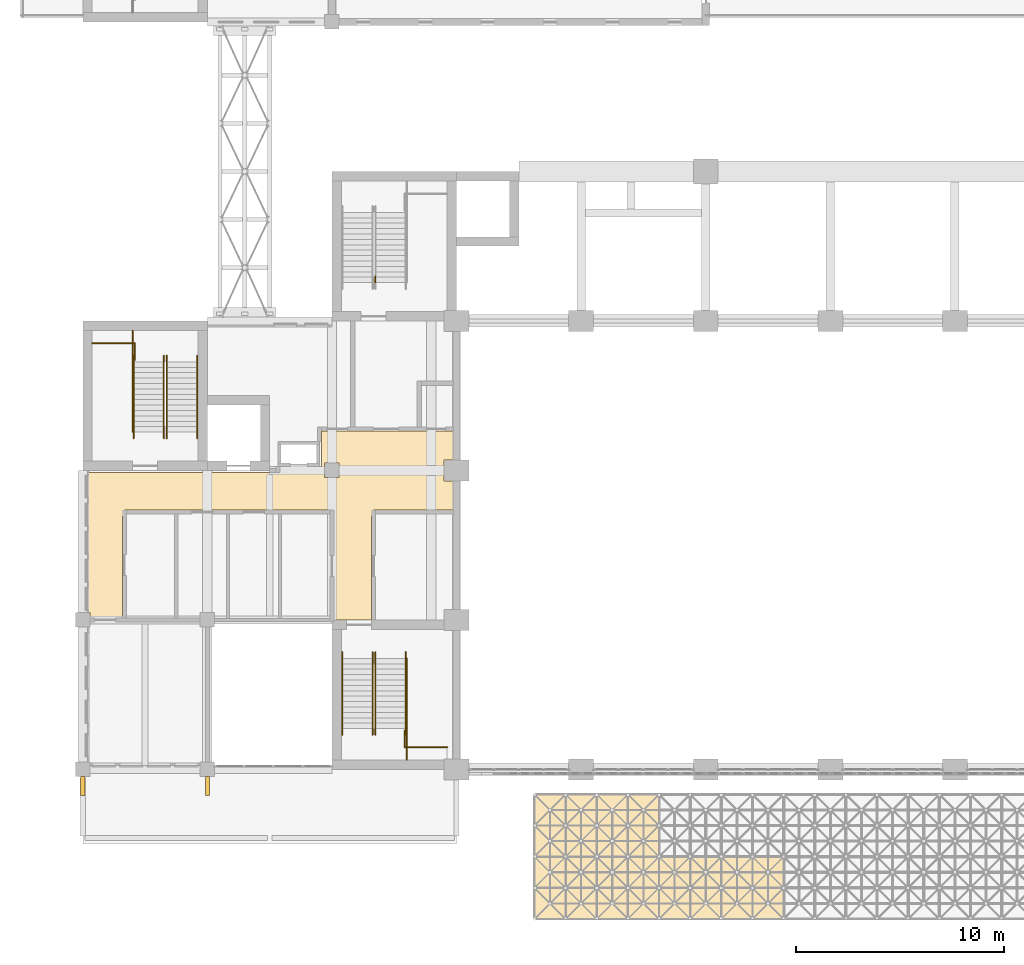
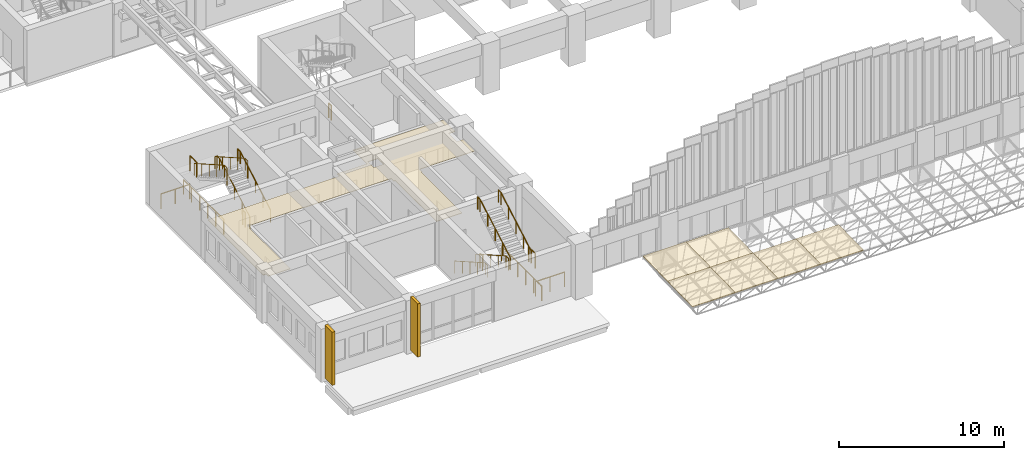
# One storey, part 95 of 103: 17 railings, 7 coverings, 2 shading devices.
"""IFC4 building model written with IfcOpenShell, lengths in metres."""

from ifc_helpers import new_model, si_unit, direction, frame, origin, origin_2d, place, context, subcontext, project, spatial, polyline, rectangle, circle, outline, extrude, material, layer, layer_set, type_object, element, save


model = new_model("IFC4")

# Units and contexts
model_context = context("Model", 3, precision=1e-05, world=origin(), true_north=direction((0.0, 1.0)))
body_context = subcontext(model_context, "Body", "Model", "MODEL_VIEW")
ifc_project = project(units=[si_unit("LENGTHUNIT", "METRE"), si_unit("AREAUNIT", "SQUARE_METRE"), si_unit("VOLUMEUNIT", "CUBIC_METRE"), si_unit("PLANEANGLEUNIT", "RADIAN"), si_unit("MASSUNIT", "GRAM", prefix="KILO")], contexts=[model_context])

# Site, building, storey
site_placement = place(None, origin())
site = spatial("IfcSite", under=ifc_project, at=site_placement, CompositionType="ELEMENT")
building_placement = place(site_placement, origin())
building = spatial("IfcBuilding", under=site, at=building_placement, Name="Laocheng Heights Fire and Rescue Headquarters", CompositionType="ELEMENT")
storey_placement = place(building_placement, frame((0.0, 0.0, 4.199951171875)))
storey = spatial("IfcBuildingStorey", under=building, at=storey_placement, Name="L01", CompositionType="ELEMENT", Elevation=4.199951171875)

# Coverings
ifc_material_1 = material(Name="Standing-seam aluminium roof panel on insulated profiled deck", Category="aluminium")
ifc_layer_1 = layer(ifc_material_1, 0.06005859375)
ifc_layer_set_1 = layer_set([ifc_layer_1], Name="Standing-seam aluminium roof panel on insulated profiled deck")
covering_type_1 = type_object("IfcCoveringType", Name="APRON CANOPY COVERING 60", PredefinedType="ROOFING", material=ifc_layer_set_1)
covering_1_placement = place(storey_placement, frame((21.75, -1.199951171875, 2.193115234375), z_axis=(0.0, -0.019934189218, 0.999801294308), x_axis=(1.0, 0.0, 0.0)))
element("IfcCovering", 1, at=covering_1_placement, inside=storey, type_object=covering_type_1, Name="Apron canopy covering 01", PredefinedType="ROOFING", context=body_context, shape_type="SweptSolid", body=[
    extrude(outline(polyline([(0.0, 0.0), (3.0, 0.0), (3.0, -3.0005962355509688), (0.0, -3.0005962355509688), (0.0, 0.0)])), origin(), (0.0, 0.0, -1.0), 0.06005859375),
])
covering_2_placement = place(storey_placement, frame((21.75, -4.199951171875, 2.13330078125), z_axis=(0.0, -0.020015520725, 0.999799669399), x_axis=(1.0, 0.0, 0.0)))
element("IfcCovering", 2, at=covering_2_placement, inside=storey, type_object=covering_type_1, Name="Apron canopy covering 02", PredefinedType="ROOFING", context=body_context, shape_type="SweptSolid", body=[
    extrude(outline(polyline([(0.0, 0.0), (3.0, 0.0), (3.0, -3.0006011122245533), (0.0, -3.0006011122245533), (0.0, 0.0)])), origin(), (0.0, 0.0, -1.0), 0.06005859375),
])
covering_3_placement = place(storey_placement, frame((24.75, -1.199951171875, 2.193115234375), z_axis=(0.0, -0.019934189218, 0.999801294308), x_axis=(1.0, 0.0, 0.0)))
element("IfcCovering", 3, at=covering_3_placement, inside=storey, type_object=covering_type_1, Name="Apron canopy covering 03", PredefinedType="ROOFING", context=body_context, shape_type="SweptSolid", body=[
    extrude(outline(polyline([(0.0, 0.0), (3.0, 0.0), (3.0, -3.0005962355509688), (0.0, -3.0005962355509688), (0.0, 0.0)])), origin(), (0.0, 0.0, -1.0), 0.06005859375),
])
for number, where, z_axis, x_axis, name in (
    (4, (24.75, -4.199951171875, 2.13330078125), (0.0, -0.020015520725, 0.999799669399), (1.0, 0.0, 0.0), "Apron canopy covering 04"),
    (5, (27.75, -4.199951171875, 2.13330078125), (0.0, -0.020015520725, 0.999799669399), (1.0, 0.0, 0.0), "Apron canopy covering 06"),
    (6, (30.75, -4.199951171875, 2.13330078125), (0.0, -0.020015520725, 0.999799669399), (1.0, 0.0, 0.0), "Apron canopy covering 08"),
):
    element("IfcCovering", number, at=place(storey_placement, frame(where, z_axis=z_axis, x_axis=x_axis)), inside=storey, type_object=covering_type_1, Name=name, PredefinedType="ROOFING", context=body_context, shape_type="SweptSolid", body=[
        extrude(outline(polyline([(0.0, 0.0), (3.0, 0.0), (3.0, -3.0006011122245533), (0.0, -3.0006011122245533), (0.0, 0.0)])), origin(), (0.0, 0.0, -1.0), 0.06005859375),
    ])

# Shading devices
ifc_material_2 = material(Name="Precast concrete C40/50, light warm grey", Category="concrete")
ifc_layer_2 = layer(ifc_material_2, 0.199951171875)
ifc_layer_set_2 = layer_set([ifc_layer_2], Name="Precast concrete C40/50, light warm grey")
shading_device_type = type_object("IfcShadingDeviceType", Name="PRECAST VERTICAL FIN 200 x 900", PredefinedType="AWNING", material=ifc_layer_set_2)
for number, where, z_axis, x_axis, name in (
    (7, (0.0, -0.800048828125, 0.25), (0.0, 0.0, 1.0), (1.0, 0.0, 0.0), "FIN W FLANK L01 x0"),
    (8, (6.0, -0.800048828125, 0.25), (0.0, 0.0, 1.0), (1.0, 0.0, 0.0), "FIN W FLANK L01 x6"),
):
    element("IfcShadingDevice", number, at=place(storey_placement, frame(where, z_axis=z_axis, x_axis=x_axis)), inside=storey, type_object=shading_device_type, Name=name, PredefinedType="AWNING", context=body_context, shape_type="SweptSolid", body=[
        extrude(rectangle(XDim=0.199951171875, YDim=0.89990234375, at=origin_2d()), origin(), (0.0, 0.0, 1.0), 3.949951171875),
    ])

# Railings
ifc_material_3 = material(Name="Steel Q355B", Category="steel")
railing_type_1 = type_object("IfcRailingType", Name="STAIR GUARD 1100", PredefinedType="GUARDRAIL", material=ifc_material_3)
railing_1_placement = place(storey_placement, frame((3.905029296875, 16.550048828125, 0.0)))
element("IfcRailing", 9, at=railing_1_placement, inside=storey, type_object=railing_type_1, Name="Stair W1 guard L01 well edge", PredefinedType="GUARDRAIL", context=body_context, shape_type="SweptSolid", body=[
    extrude(circle(Radius=0.02392578125, at=origin_2d()), frame((0.0, 0.0, 1.076171875), z_axis=(0.0, -1.0, 0.0), x_axis=(1.0, 0.0, 0.0)), (0.0, 0.0, 1.0), 0.300048828125),
    extrude(circle(Radius=0.02099609375, at=origin_2d()), origin(), (0.0, 0.0, 1.0), 1.052001953125),
    extrude(circle(Radius=0.02099609375, at=origin_2d()), frame((0.0, -0.300048828125, 0.0)), (0.0, 0.0, 1.0), 1.052001953125),
])
railing_2_placement = place(storey_placement, frame((2.47509765625, 20.52001953125, 0.0)))
element("IfcRailing", 10, at=railing_2_placement, inside=storey, type_object=railing_type_1, Name="Stair W1 guard L01 tongue edge", PredefinedType="GUARDRAIL", context=body_context, shape_type="SweptSolid", body=[
    extrude(circle(Radius=0.02392578125, at=origin_2d()), frame((0.0, 0.0, 1.076171875), z_axis=(-1.0, 0.0, 0.0), x_axis=(0.0, -1.0, 0.0)), (0.0, 0.0, 1.0), 2.025146484375),
    extrude(circle(Radius=0.02099609375, at=origin_2d()), origin(), (0.0, 0.0, 1.0), 1.052001953125),
    extrude(circle(Radius=0.02099609375, at=origin_2d()), frame((-1.0126953125, 0.0, 0.0)), (0.0, 0.0, 1.0), 1.052001953125),
    extrude(circle(Radius=0.02099609375, at=origin_2d()), frame((-2.025146484375, 0.0, 0.0)), (0.0, 0.0, 1.0), 1.052001953125),
])
railing_3_placement = place(storey_placement, frame((2.39501953125, 21.1298828125, 0.0)))
element("IfcRailing", 11, at=railing_3_placement, inside=storey, type_object=railing_type_1, Name="Stair W1 guard L01 strip edge", PredefinedType="GUARDRAIL", context=body_context, shape_type="SweptSolid", body=[
    extrude(circle(Radius=0.02392578125, at=origin_2d()), frame((0.0, 0.0, 1.076171875), z_axis=(0.0, -1.0, 0.0), x_axis=(1.0, 0.0, 0.0)), (0.0, 0.0, 1.0), 4.8798828125),
    extrude(circle(Radius=0.02099609375, at=origin_2d()), origin(), (0.0, 0.0, 1.0), 1.052001953125),
    extrude(circle(Radius=0.02099609375, at=origin_2d()), frame((0.0, -0.97607421875, 0.0)), (0.0, 0.0, 1.0), 1.052001953125),
    extrude(circle(Radius=0.02099609375, at=origin_2d()), frame((0.0, -1.951904296875, 0.0)), (0.0, 0.0, 1.0), 1.052001953125),
    extrude(circle(Radius=0.02099609375, at=origin_2d()), frame((0.0, -2.927978515625, 0.0)), (0.0, 0.0, 1.0), 1.052001953125),
    extrude(circle(Radius=0.02099609375, at=origin_2d()), frame((0.0, -3.90380859375, 0.0)), (0.0, 0.0, 1.0), 1.052001953125),
    extrude(circle(Radius=0.02099609375, at=origin_2d()), frame((0.0, -4.8798828125, 0.0)), (0.0, 0.0, 1.0), 1.052001953125),
])
railing_4_placement = place(storey_placement, frame((2.5048828125, 20.530029296875, 2.10009765625)))
element("IfcRailing", 12, at=railing_4_placement, inside=storey, type_object=railing_type_1, Name="Stair W1 guard L01 half landing", PredefinedType="GUARDRAIL", context=body_context, shape_type="SweptSolid", body=[
    extrude(circle(Radius=0.02392578125, at=origin_2d()), frame((0.0, 0.0, 1.076171875), z_axis=(0.0, -1.0, 0.0), x_axis=(1.0, 0.0, 0.0)), (0.0, 0.0, 1.0), 0.800048828125),
    extrude(circle(Radius=0.02099609375, at=origin_2d()), origin(), (0.0, 0.0, 1.0), 1.052001953125),
    extrude(circle(Radius=0.02099609375, at=origin_2d()), frame((0.0, -0.800048828125, 0.0)), (0.0, 0.0, 1.0), 1.052001953125),
])
railing_5_placement = place(storey_placement, frame((14.094970703125, 5.0498046875, 0.0)))
element("IfcRailing", 13, at=railing_5_placement, inside=storey, type_object=railing_type_1, Name="Stair W2 guard L01 well edge", PredefinedType="GUARDRAIL", context=body_context, shape_type="SweptSolid", body=[
    extrude(circle(Radius=0.02392578125, at=origin_2d()), frame((0.0, 0.0, 1.076171875), z_axis=(0.0, 1.0, 0.0), x_axis=(-1.0, 0.0, 0.0)), (0.0, 0.0, 1.0), 0.30029296875),
    extrude(circle(Radius=0.02099609375, at=origin_2d()), origin(), (0.0, 0.0, 1.0), 1.052001953125),
    extrude(circle(Radius=0.02099609375, at=origin_2d()), frame((0.0, 0.30029296875, 0.0)), (0.0, 0.0, 1.0), 1.052001953125),
])
railing_6_placement = place(storey_placement, frame((15.52490234375, 1.080078125, 0.0)))
element("IfcRailing", 14, at=railing_6_placement, inside=storey, type_object=railing_type_1, Name="Stair W2 guard L01 tongue edge", PredefinedType="GUARDRAIL", context=body_context, shape_type="SweptSolid", body=[
    extrude(circle(Radius=0.02392578125, at=origin_2d()), frame((0.0, 0.0, 1.076171875), z_axis=(1.0, 0.0, 0.0), x_axis=(0.0, 1.0, 0.0)), (0.0, 0.0, 1.0), 2.025146484375),
    extrude(circle(Radius=0.02099609375, at=origin_2d()), origin(), (0.0, 0.0, 1.0), 1.052001953125),
    extrude(circle(Radius=0.02099609375, at=origin_2d()), frame((1.0126953125, 0.0, 0.0)), (0.0, 0.0, 1.0), 1.052001953125),
    extrude(circle(Radius=0.02099609375, at=origin_2d()), frame((2.025146484375, 0.0, 0.0)), (0.0, 0.0, 1.0), 1.052001953125),
])
railing_7_placement = place(storey_placement, frame((15.60498046875, 0.469970703125, 0.0)))
element("IfcRailing", 15, at=railing_7_placement, inside=storey, type_object=railing_type_1, Name="Stair W2 guard L01 strip edge", PredefinedType="GUARDRAIL", context=body_context, shape_type="SweptSolid", body=[
    extrude(circle(Radius=0.02392578125, at=origin_2d()), frame((0.0, 0.0, 1.076171875), z_axis=(0.0, 1.0, 0.0), x_axis=(-1.0, 0.0, 0.0)), (0.0, 0.0, 1.0), 4.880126953125),
    extrude(circle(Radius=0.02099609375, at=origin_2d()), origin(), (0.0, 0.0, 1.0), 1.052001953125),
    extrude(circle(Radius=0.02099609375, at=origin_2d()), frame((0.0, 0.97607421875, 0.0)), (0.0, 0.0, 1.0), 1.052001953125),
    extrude(circle(Radius=0.02099609375, at=origin_2d()), frame((0.0, 1.9521484375, 0.0)), (0.0, 0.0, 1.0), 1.052001953125),
    extrude(circle(Radius=0.02099609375, at=origin_2d()), frame((0.0, 2.927978515625, 0.0)), (0.0, 0.0, 1.0), 1.052001953125),
    extrude(circle(Radius=0.02099609375, at=origin_2d()), frame((0.0, 3.904052734375, 0.0)), (0.0, 0.0, 1.0), 1.052001953125),
    extrude(circle(Radius=0.02099609375, at=origin_2d()), frame((0.0, 4.880126953125, 0.0)), (0.0, 0.0, 1.0), 1.052001953125),
])
railing_8_placement = place(storey_placement, frame((15.4951171875, 1.070068359375, 2.10009765625)))
element("IfcRailing", 16, at=railing_8_placement, inside=storey, type_object=railing_type_1, Name="Stair W2 guard L01 half landing", PredefinedType="GUARDRAIL", context=body_context, shape_type="SweptSolid", body=[
    extrude(circle(Radius=0.02392578125, at=origin_2d()), frame((0.0, 0.0, 1.076171875), z_axis=(0.0, 1.0, 0.0), x_axis=(-1.0, 0.0, 0.0)), (0.0, 0.0, 1.0), 0.800048828125),
    extrude(circle(Radius=0.02099609375, at=origin_2d()), origin(), (0.0, 0.0, 1.0), 1.052001953125),
    extrude(circle(Radius=0.02099609375, at=origin_2d()), frame((0.0, 0.800048828125, 0.0)), (0.0, 0.0, 1.0), 1.052001953125),
])
railing_9_placement = place(storey_placement, frame((14.094970703125, 23.750244140625, 0.0)))
element("IfcRailing", 17, at=railing_9_placement, inside=storey, type_object=railing_type_1, Name="Stair G1 guard L01 well edge", PredefinedType="GUARDRAIL", context=body_context, shape_type="SweptSolid", body=[
    extrude(circle(Radius=0.02392578125, at=origin_2d()), frame((0.0, 0.0, 1.076171875), z_axis=(0.0, -1.0, 0.0), x_axis=(1.0, 0.0, 0.0)), (0.0, 0.0, 1.0), 0.30029296875),
    extrude(circle(Radius=0.02099609375, at=origin_2d()), origin(), (0.0, 0.0, 1.0), 1.052001953125),
    extrude(circle(Radius=0.02099609375, at=origin_2d()), frame((0.0, -0.30029296875, 0.0)), (0.0, 0.0, 1.0), 1.052001953125),
])
ifc_material_4 = material(Name="Steel Q355B", Category="steel")
railing_type_2 = type_object("IfcRailingType", Name="STAIR HANDRAIL 920", PredefinedType="HANDRAIL", material=ifc_material_4)
for number, where, name in (
    (18, (5.5048828125, 15.949951171875, 0.0), "Stair W1 handrail L01 1"),
    (19, (4.044921875, 15.949951171875, 0.0), "Stair W1 handrail L01 2"),
):
    element("IfcRailing", number, at=place(storey_placement, frame(where)), inside=storey, type_object=railing_type_2, Name=name, PredefinedType="HANDRAIL", context=body_context, shape_type="SweptSolid", body=[
        extrude(circle(Radius=0.02392578125, at=origin_2d()), frame((0.0, 0.0, 0.89599609375), z_axis=(0.0, 0.868519587458, 0.495654845838), x_axis=(-1.0, 0.0, 0.0)), (0.0, 0.0, 1.0), 4.237060546875),
        extrude(circle(Radius=0.02392578125, at=origin_2d()), frame((0.0, 3.679931640625, 2.99609375), z_axis=(0.0, 1.0, 0.0), x_axis=(-1.0, 0.0, 0.0)), (0.0, 0.0, 1.0), 0.300048828125),
        extrude(circle(Radius=0.02099609375, at=origin_2d()), origin(), (0.0, 0.0, 1.0), 0.871826171875),
        extrude(circle(Radius=0.02099609375, at=origin_2d()), frame((0.0, 0.919921875, 0.52490234375)), (0.0, 0.0, 1.0), 0.871826171875),
        extrude(circle(Radius=0.02099609375, at=origin_2d()), frame((0.0, 1.83984375, 1.050048828125)), (0.0, 0.0, 1.0), 0.871826171875),
        extrude(circle(Radius=0.02099609375, at=origin_2d()), frame((0.0, 2.760009765625, 1.5751953125)), (0.0, 0.0, 1.0), 0.871826171875),
        extrude(circle(Radius=0.02099609375, at=origin_2d()), frame((0.0, 3.679931640625, 2.10009765625)), (0.0, 0.0, 1.0), 0.871826171875),
        extrude(circle(Radius=0.02099609375, at=origin_2d()), frame((0.0, 3.97998046875, 2.10009765625)), (0.0, 0.0, 1.0), 0.871826171875),
    ])
for number, where, name in (
    (20, (3.905029296875, 19.929931640625, 2.10009765625), "Stair W1 handrail L01 3"),
    (21, (2.445068359375, 19.929931640625, 2.10009765625), "Stair W1 handrail L01 4"),
):
    element("IfcRailing", number, at=place(storey_placement, frame(where)), inside=storey, type_object=railing_type_2, Name=name, PredefinedType="HANDRAIL", context=body_context, shape_type="SweptSolid", body=[
        extrude(circle(Radius=0.02392578125, at=origin_2d()), frame((0.0, 0.0, 0.89599609375), z_axis=(0.0, -0.868544392059, 0.495611379029), x_axis=(1.0, 0.0, 0.0)), (0.0, 0.0, 1.0), 4.23681640625),
        extrude(circle(Radius=0.02392578125, at=origin_2d()), frame((0.0, -3.679931640625, 2.99560546875), z_axis=(0.0, -1.0, 0.0), x_axis=(1.0, 0.0, 0.0)), (0.0, 0.0, 1.0), 0.300048828125),
        extrude(circle(Radius=0.02099609375, at=origin_2d()), origin(), (0.0, 0.0, 1.0), 0.871826171875),
        extrude(circle(Radius=0.02099609375, at=origin_2d()), frame((0.0, -0.919921875, 0.52490234375)), (0.0, 0.0, 1.0), 0.871826171875),
        extrude(circle(Radius=0.02099609375, at=origin_2d()), frame((0.0, -1.83984375, 1.0498046875)), (0.0, 0.0, 1.0), 0.871826171875),
        extrude(circle(Radius=0.02099609375, at=origin_2d()), frame((0.0, -2.760009765625, 1.574951171875)), (0.0, 0.0, 1.0), 0.871826171875),
        extrude(circle(Radius=0.02099609375, at=origin_2d()), frame((0.0, -3.679931640625, 2.099853515625)), (0.0, 0.0, 1.0), 0.871826171875),
        extrude(circle(Radius=0.02099609375, at=origin_2d()), frame((0.0, -3.97998046875, 2.099853515625)), (0.0, 0.0, 1.0), 0.871826171875),
    ])
for number, where, name in (
    (22, (12.4951171875, 5.64990234375, 0.0), "Stair W2 handrail L01 1"),
    (23, (13.955078125, 5.64990234375, 0.0), "Stair W2 handrail L01 2"),
):
    element("IfcRailing", number, at=place(storey_placement, frame(where)), inside=storey, type_object=railing_type_2, Name=name, PredefinedType="HANDRAIL", context=body_context, shape_type="SweptSolid", body=[
        extrude(circle(Radius=0.02392578125, at=origin_2d()), frame((0.0, 0.0, 0.89599609375), z_axis=(0.0, -0.868519587458, 0.495654845838), x_axis=(1.0, 0.0, 0.0)), (0.0, 0.0, 1.0), 4.237060546875),
        extrude(circle(Radius=0.02392578125, at=origin_2d()), frame((0.0, -3.679931640625, 2.99609375), z_axis=(0.0, -1.0, 0.0), x_axis=(1.0, 0.0, 0.0)), (0.0, 0.0, 1.0), 0.300048828125),
        extrude(circle(Radius=0.02099609375, at=origin_2d()), origin(), (0.0, 0.0, 1.0), 0.871826171875),
        extrude(circle(Radius=0.02099609375, at=origin_2d()), frame((0.0, -0.919921875, 0.52490234375)), (0.0, 0.0, 1.0), 0.871826171875),
        extrude(circle(Radius=0.02099609375, at=origin_2d()), frame((0.0, -1.83984375, 1.050048828125)), (0.0, 0.0, 1.0), 0.871826171875),
        extrude(circle(Radius=0.02099609375, at=origin_2d()), frame((0.0, -2.760009765625, 1.5751953125)), (0.0, 0.0, 1.0), 0.871826171875),
        extrude(circle(Radius=0.02099609375, at=origin_2d()), frame((0.0, -3.679931640625, 2.10009765625)), (0.0, 0.0, 1.0), 0.871826171875),
        extrude(circle(Radius=0.02099609375, at=origin_2d()), frame((0.0, -3.97998046875, 2.10009765625)), (0.0, 0.0, 1.0), 0.871826171875),
    ])
for number, where, name in (
    (24, (14.094970703125, 1.669921875, 2.10009765625), "Stair W2 handrail L01 3"),
    (25, (15.554931640625, 1.669921875, 2.10009765625), "Stair W2 handrail L01 4"),
):
    element("IfcRailing", number, at=place(storey_placement, frame(where)), inside=storey, type_object=railing_type_2, Name=name, PredefinedType="HANDRAIL", context=body_context, shape_type="SweptSolid", body=[
        extrude(circle(Radius=0.02392578125, at=origin_2d()), frame((0.0, 0.0, 0.89599609375), z_axis=(0.0, 0.868558544855, 0.495586575846), x_axis=(-1.0, 0.0, 0.0)), (0.0, 0.0, 1.0), 4.237060546875),
        extrude(circle(Radius=0.02392578125, at=origin_2d()), frame((0.0, 3.68017578125, 2.99560546875), z_axis=(0.0, 1.0, 0.0), x_axis=(-1.0, 0.0, 0.0)), (0.0, 0.0, 1.0), 0.2998046875),
        extrude(circle(Radius=0.02099609375, at=origin_2d()), origin(), (0.0, 0.0, 1.0), 0.871826171875),
        extrude(circle(Radius=0.02099609375, at=origin_2d()), frame((0.0, 0.919921875, 0.52490234375)), (0.0, 0.0, 1.0), 0.871826171875),
        extrude(circle(Radius=0.02099609375, at=origin_2d()), frame((0.0, 1.840087890625, 1.0498046875)), (0.0, 0.0, 1.0), 0.871826171875),
        extrude(circle(Radius=0.02099609375, at=origin_2d()), frame((0.0, 2.76025390625, 1.574951171875)), (0.0, 0.0, 1.0), 0.871826171875),
        extrude(circle(Radius=0.02099609375, at=origin_2d()), frame((0.0, 3.68017578125, 2.099853515625)), (0.0, 0.0, 1.0), 0.871826171875),
        extrude(circle(Radius=0.02099609375, at=origin_2d()), frame((0.0, 3.97998046875, 2.099853515625)), (0.0, 0.0, 1.0), 0.871826171875),
    ])

# Covering
ifc_material_5 = material(Name="Mineral fibre ceiling tile")
ifc_layer_3 = layer(ifc_material_5, 0.0400390625)
ifc_layer_set_3 = layer_set([ifc_layer_3], Name="Mineral fibre ceiling tile")
covering_type_2 = type_object("IfcCoveringType", Name="SUSPENDED CEILING MINERAL FIBRE TILE", PredefinedType="CEILING", material=ifc_layer_set_3)
covering_4_placement = place(storey_placement, frame((0.0, 0.0, 3.0)))
element("IfcCovering", 26, at=covering_4_placement, inside=storey, type_object=covering_type_2, Name="Circulation W flank ceiling", PredefinedType="CEILING", context=body_context, shape_type="SweptSolid", body=[
    extrude(outline(polyline([(0.14990234375, 12.5), (0.14990234375, 12.60009765625), (0.14990234375, 14.300048828125), (9.39990234375, 14.300048828125), (9.39990234375, 14.39990234375), (9.39990234375, 14.60009765625), (9.5, 14.60009765625), (11.199951171875, 14.60009765625), (11.39990234375, 14.60009765625), (11.5, 14.60009765625), (11.5, 16.300048828125), (17.85009765625, 16.300048828125), (17.85009765625, 14.89990234375), (17.39990234375, 14.89990234375), (17.39990234375, 13.89990234375), (17.85009765625, 13.89990234375), (17.85009765625, 12.5), (14.0, 12.5), (14.0, 12.39990234375), (14.0, 12.199951171875), (13.89990234375, 12.199951171875), (13.89990234375, 7.199951171875), (12.10009765625, 7.199951171875), (12.10009765625, 12.199951171875), (12.0, 12.199951171875), (12.0, 12.39990234375), (12.0, 12.5), (2.0, 12.5), (2.0, 12.39990234375), (2.0, 12.199951171875), (1.89990234375, 12.199951171875), (1.89990234375, 7.300048828125), (0.35009765625, 7.300048828125), (0.35009765625, 7.550048828125), (0.14990234375, 7.550048828125), (0.14990234375, 12.199951171875), (0.14990234375, 12.39990234375), (0.14990234375, 12.5)]), holes=[polyline([(11.64990234375, 14.75), (11.64990234375, 14.050048828125), (12.35009765625, 14.050048828125), (12.35009765625, 14.75), (11.64990234375, 14.75)])]), origin(), (0.0, 0.0, 1.0), 0.0400390625),
])

save(model, "model.ifc")
